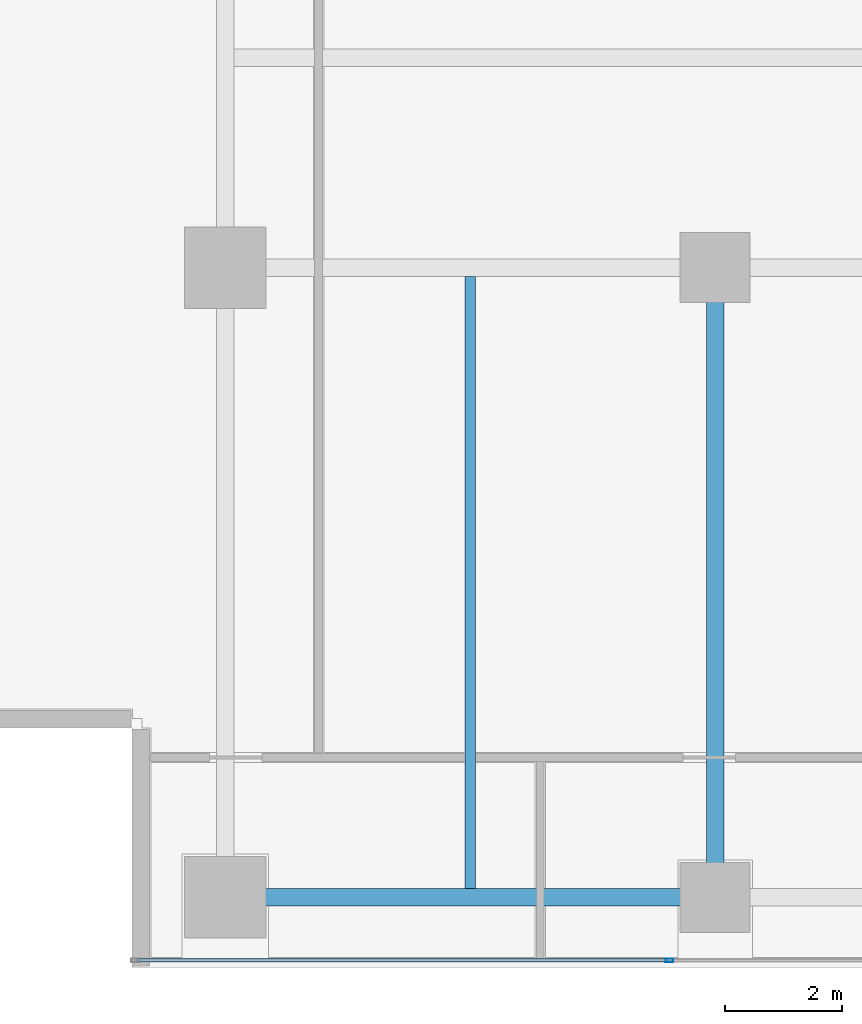
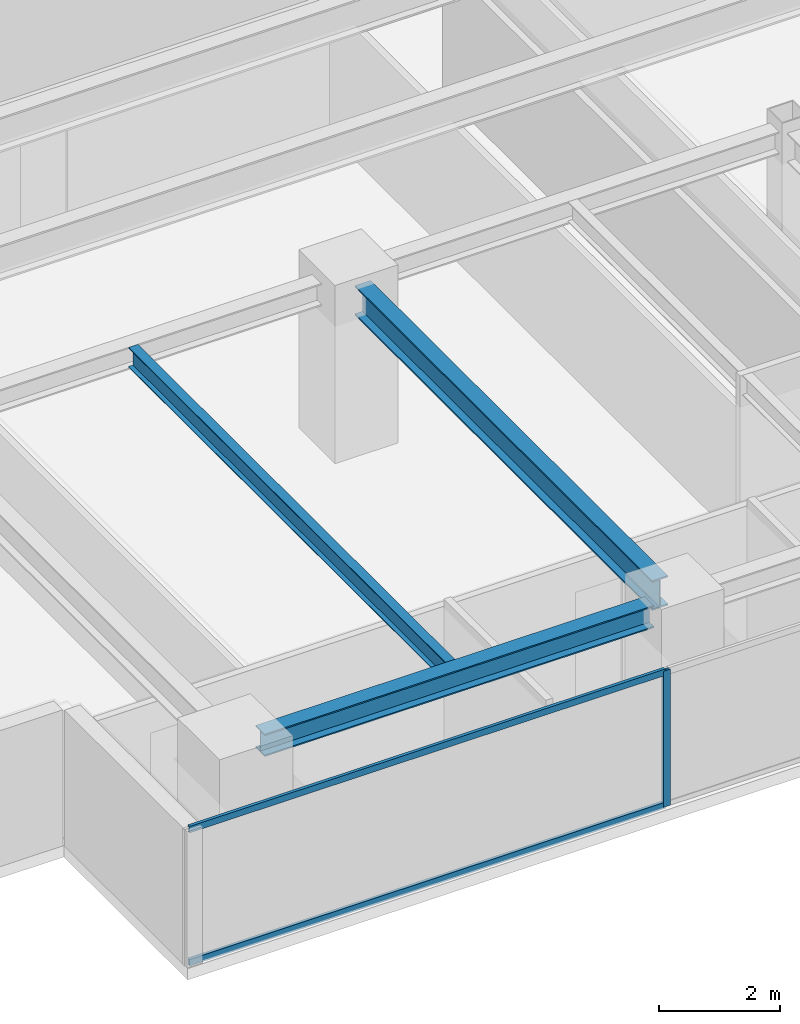
# One storey, part 3 of 25: 3 beams, 3 members, 1 element without a shape of its own.
"""IFC4 building model written with IfcOpenShell, lengths in metres."""

from ifc_helpers import new_model, si_unit, direction, frame, origin, origin_2d, place, context, subcontext, project, spatial, hollow_rectangle, i_section, extrude, source, transform, mapped, material, layer, layer_set, material_profile, profile_set, type_object, element, aggregate, save


model = new_model("IFC4")

# Units and contexts
model_context = context("Model", 3, precision=1e-05, world=origin(), true_north=direction((0.0, 1.0)))
body_context = subcontext(model_context, "Body", "Model", "MODEL_VIEW")
ifc_project = project(units=[si_unit("LENGTHUNIT", "METRE"), si_unit("AREAUNIT", "SQUARE_METRE"), si_unit("VOLUMEUNIT", "CUBIC_METRE"), si_unit("PLANEANGLEUNIT", "RADIAN"), si_unit("MASSUNIT", "GRAM", prefix="KILO")], contexts=[model_context])

# Site, building, storey
site_placement = place(None, origin())
site = spatial("IfcSite", under=ifc_project, at=site_placement, CompositionType="ELEMENT")
building_placement = place(site_placement, origin())
building = spatial("IfcBuilding", under=site, at=building_placement, Name="Sumidabori Civic Tower", CompositionType="ELEMENT")
storey_placement = place(building_placement, frame((0.0, 0.0, 232.39990234375)))
storey = spatial("IfcBuildingStorey", under=building, at=storey_placement, Name="L60", CompositionType="ELEMENT", Elevation=232.39990234375)

# Beams
ifc_material_1 = material(Name="Steel SN490", Category="steel")
ifc_material_profile_1 = material_profile(ifc_material_1, i_section(OverallWidth=0.300048828125, OverallDepth=0.60009765625, WebThickness=0.015380859375, FlangeThickness=0.030029296875, at=origin_2d()), Name="HE 600 B")
ifc_profile_set_1 = profile_set([ifc_material_profile_1], Name="Steel SN490")
beam_type_1 = type_object("IfcBeamType", Name="BM-GIRD-600", PredefinedType="BEAM", material=ifc_profile_set_1)
shared_shape_1 = source(origin(), body_context, "Body", "SweptSolid", [
    extrude(i_section(OverallWidth=0.300048828125, OverallDepth=0.60009765625, WebThickness=0.015380859375, FlangeThickness=0.030029296875, at=origin_2d()), origin(), (0.0, 0.0, 1.0), 9.840087890625),
])
beam_1_placement = place(storey_placement, frame((-8.39990234375, -10.320068359375, 3.070068359375), z_axis=(0.0, 1.0, 0.0), x_axis=(-1.0, 0.0, 0.0)))
element("IfcBeam", 1, at=beam_1_placement, inside=storey, type_object=beam_type_1, Name="Primary Girder L60 GY-12", PredefinedType="BEAM", context=body_context, shape_type="MappedRepresentation", body=[
    mapped(shared_shape_1, transform((0.0, 0.0, 0.0), x_axis=(1.0, 0.0, 0.0), y_axis=(0.0, 1.0, 0.0), z_axis=(0.0, 0.0, 1.0), scale=1.0)),
])
ifc_material_profile_2 = material_profile(ifc_material_1, i_section(OverallWidth=0.300048828125, OverallDepth=0.449951171875, WebThickness=0.013916015625, FlangeThickness=0.02587890625, at=origin_2d()), Name="HE 450 B")
ifc_profile_set_2 = profile_set([ifc_material_profile_2], Name="Steel SN490")
beam_type_2 = type_object("IfcBeamType", Name="BM-GIRD-450", PredefinedType="BEAM", material=ifc_profile_set_2)
shared_shape_2 = source(origin(), body_context, "Body", "SweptSolid", [
    extrude(i_section(OverallWidth=0.300048828125, OverallDepth=0.449951171875, WebThickness=0.013916015625, FlangeThickness=0.02587890625, at=origin_2d()), origin(), (0.0, 0.0, 1.0), 7.440185546875),
])
beam_2_placement = place(storey_placement, frame((-16.320068359375, -10.800048828125, 3.14501953125), z_axis=(1.0, 0.0, 0.0), x_axis=(0.0, 1.0, 0.0)))
element("IfcBeam", 2, at=beam_2_placement, inside=storey, type_object=beam_type_2, Name="Primary Girder L60 GX-01", PredefinedType="BEAM", context=body_context, shape_type="MappedRepresentation", body=[
    mapped(shared_shape_2, transform((0.0, 0.0, 0.0), x_axis=(1.0, 0.0, 0.0), y_axis=(0.0, 1.0, 0.0), z_axis=(0.0, 0.0, 1.0), scale=1.0)),
])
ifc_material_profile_3 = material_profile(ifc_material_1, i_section(OverallWidth=0.179931640625, OverallDepth=0.39990234375, WebThickness=0.008544921875, FlangeThickness=0.013427734375, at=origin_2d()), Name="IPE 400")
ifc_profile_set_3 = profile_set([ifc_material_profile_3], Name="Steel SN490")
beam_type_3 = type_object("IfcBeamType", Name="BM-JST-400", PredefinedType="JOIST", material=ifc_profile_set_3)
shared_shape_3 = source(origin(), body_context, "Body", "SweptSolid", [
    extrude(i_section(OverallWidth=0.179931640625, OverallDepth=0.39990234375, WebThickness=0.008544921875, FlangeThickness=0.013427734375, at=origin_2d()), origin(), (0.0, 0.0, 1.0), 10.5),
])
beam_3_placement = place(storey_placement, frame((-12.60009765625, -10.64990234375, 3.170166015625), z_axis=(0.0, 1.0, 0.0), x_axis=(-1.0, 0.0, 0.0)))
element("IfcBeam", 3, at=beam_3_placement, inside=storey, type_object=beam_type_3, Name="Upper Lens N-S Floor Joist L60 JSTV-20", PredefinedType="JOIST", context=body_context, shape_type="MappedRepresentation", body=[
    mapped(shared_shape_3, transform((0.0, 0.0, 0.0), x_axis=(1.0, 0.0, 0.0), y_axis=(0.0, 1.0, 0.0), z_axis=(0.0, 0.0, 1.0), scale=1.0)),
])

# Curtain wall, members
ifc_material_2 = material(Name="Anodised Bronze Aluminium AW-6063-T6", Category="aluminium")
ifc_layer = layer(ifc_material_2, 0.179931640625, Name="Anodised Bronze Aluminium AW-6063-T6")
ifc_layer_set = layer_set([ifc_layer], Name="Anodised Bronze Aluminium AW-6063-T6")
curtain_wall_type = type_object("IfcCurtainWallType", Name="CW-SYS-5", PredefinedType="NOTDEFINED", material=ifc_layer_set)
curtain_wall_placement = place(storey_placement, origin())
curtain_wall = element("IfcCurtainWall", 4, at=curtain_wall_placement, inside=storey, type_object=curtain_wall_type, Name="Curtain Wall CW:L60:R01", PredefinedType="NOTDEFINED")
ifc_material_profile_4 = material_profile(ifc_material_2, hollow_rectangle(XDim=0.06005859375, YDim=0.1298828125, WallThickness=0.0048828125, at=origin_2d()), Name="ALU TRANSOM 130x60")
ifc_profile_set_4 = profile_set([ifc_material_profile_4], Name="Anodised Bronze Aluminium AW-6063-T6")
member_type_1 = type_object("IfcMemberType", Name="CW-TRN-130", PredefinedType="USERDEFINED", material=ifc_profile_set_4)
shared_shape_4 = source(origin(), body_context, "Body", "SweptSolid", [
    extrude(hollow_rectangle(XDim=0.06005859375, YDim=0.1298828125, WallThickness=0.0048828125, at=origin_2d()), origin(), (0.0, 0.0, 1.0), 9.094970703125),
])
member_1_placement = place(storey_placement, frame((-18.31005859375, -11.8798828125, 0.030029296875), z_axis=(1.0, 0.0, 0.0), x_axis=(0.0, 1.0, 0.0)))
member_1 = element("IfcMember", 5, at=member_1_placement, type_object=member_type_1, Name="CW-5 transom 1.1", ObjectType="TRANSOM", PredefinedType="USERDEFINED", context=body_context, shape_type="MappedRepresentation", body=[
    mapped(shared_shape_4, transform((0.0, 0.0, 0.0), x_axis=(1.0, 0.0, 0.0), y_axis=(0.0, 1.0, 0.0), z_axis=(0.0, 0.0, 1.0), scale=1.0)),
])
member_2_placement = place(storey_placement, frame((-18.31005859375, -11.8798828125, 2.72021484375), z_axis=(1.0, 0.0, 0.0), x_axis=(0.0, 1.0, 0.0)))
member_2 = element("IfcMember", 6, at=member_2_placement, type_object=member_type_1, Name="CW-5 transom 1.2", ObjectType="TRANSOM", PredefinedType="USERDEFINED", context=body_context, shape_type="MappedRepresentation", body=[
    mapped(shared_shape_4, transform((0.0, 0.0, 0.0), x_axis=(1.0, 0.0, 0.0), y_axis=(0.0, 1.0, 0.0), z_axis=(0.0, 0.0, 1.0), scale=1.0)),
])
ifc_material_profile_5 = material_profile(ifc_material_2, hollow_rectangle(XDim=0.06005859375, YDim=0.139892578125, WallThickness=0.0048828125, at=origin_2d()), Name="ALU MULLION 140x60")
ifc_profile_set_5 = profile_set([ifc_material_profile_5], Name="Anodised Bronze Aluminium AW-6063-T6")
member_type_2 = type_object("IfcMemberType", Name="CW-MUL-140", PredefinedType="MULLION", material=ifc_profile_set_5)
shared_shape_5 = source(origin(), body_context, "Body", "SweptSolid", [
    extrude(hollow_rectangle(XDim=0.06005859375, YDim=0.139892578125, WallThickness=0.0048828125, at=origin_2d()), origin(), (0.0, 0.0, 1.0), 2.75),
])
member_3_placement = place(storey_placement, frame((-9.18505859375, -11.8798828125, 0.0), z_axis=(0.0, 0.0, 1.0), x_axis=(0.0, 1.0, 0.0)))
member_3 = element("IfcMember", 7, at=member_3_placement, type_object=member_type_2, Name="CW-5 mullion 2", PredefinedType="MULLION", context=body_context, shape_type="MappedRepresentation", body=[
    mapped(shared_shape_5, transform((0.0, 0.0, 0.0), x_axis=(1.0, 0.0, 0.0), y_axis=(0.0, 1.0, 0.0), z_axis=(0.0, 0.0, 1.0), scale=1.0)),
])
aggregate(curtain_wall, [member_3, member_1, member_2])

save(model, "model.ifc")
